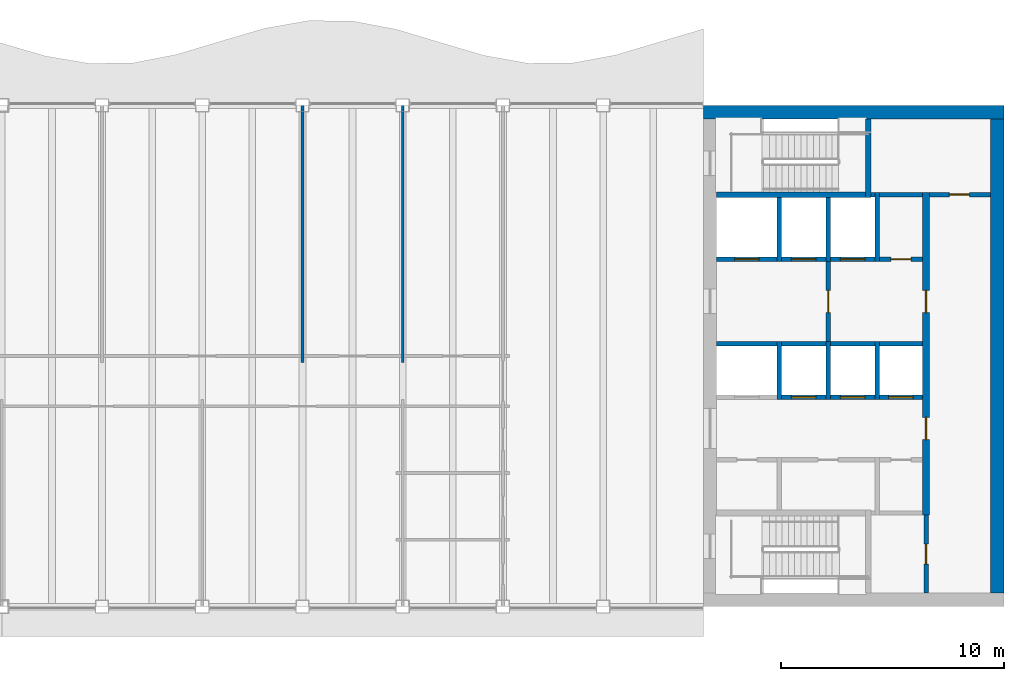
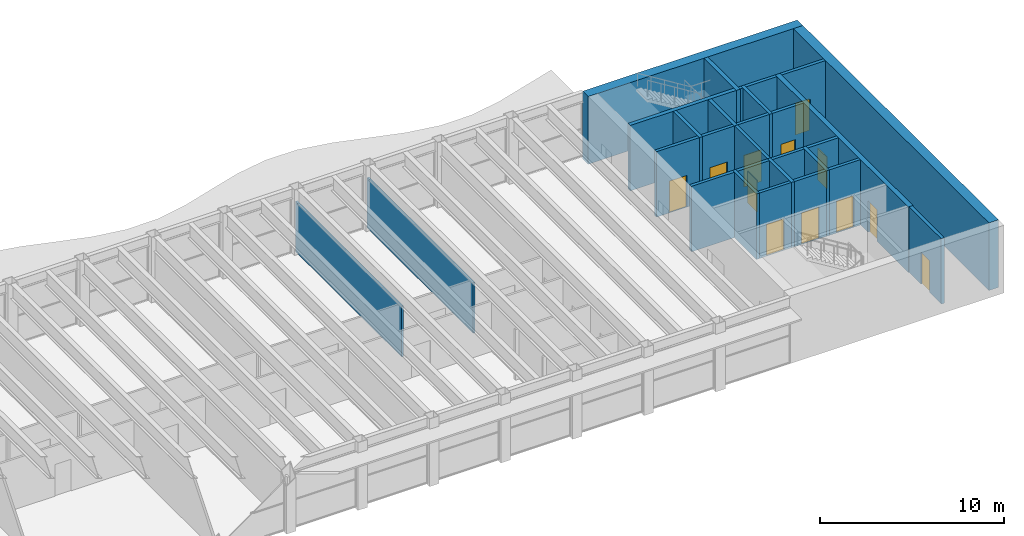
# One storey, part 10 of 14: 29 walls, 12 doors, 12 openings.
"""IFC4 building model written with IfcOpenShell, lengths in metres."""

from ifc_helpers import new_model, si_unit, direction, frame, frame_2d, origin, place, context, subcontext, project, spatial, rectangle, extrude, material, layer, layer_set, type_object, element, fill, save


model = new_model("IFC4")

# Units and contexts
model_context = context("Model", 3, precision=1e-05, world=origin(), true_north=direction((0.0, 1.0)))
body_context = subcontext(model_context, "Body", "Model", "MODEL_VIEW")
ifc_project = project(units=[si_unit("LENGTHUNIT", "METRE"), si_unit("AREAUNIT", "SQUARE_METRE"), si_unit("VOLUMEUNIT", "CUBIC_METRE"), si_unit("PLANEANGLEUNIT", "RADIAN"), si_unit("MASSUNIT", "GRAM", prefix="KILO")], contexts=[model_context])

# Site, building, storey
site_placement = place(None, origin())
site = spatial("IfcSite", under=ifc_project, at=site_placement, CompositionType="ELEMENT")
building_placement = place(site_placement, origin())
building = spatial("IfcBuilding", under=site, at=building_placement, Name="Sennacour Bend Tower", CompositionType="ELEMENT")
storey_placement = place(building_placement, frame((0.0, 0.0, 314.0)))
storey = spatial("IfcBuildingStorey", under=building, at=storey_placement, Name="L72", CompositionType="ELEMENT", Elevation=314.0)

# Walls
ifc_material_1 = material(Name="Concrete C50/60", Category="concrete")
ifc_layer_1 = layer(ifc_material_1, 0.60009765625, Name="Concrete C50/60", Category="concrete")
ifc_layer_set_1 = layer_set([ifc_layer_1], Name="Concrete C50/60")
wall_type_1 = type_object("IfcWallType", Name="Core wall 600 C50/60", PredefinedType="SHEAR", material=ifc_layer_set_1)
wall_1_placement = place(storey_placement, frame((54.0, 22.199951171875, -0.14990234375), z_axis=(0.0, 0.0, 1.0), x_axis=(1.0, 0.0, 0.0)))
element("IfcWall", 1, at=wall_1_placement, inside=storey, type_object=wall_type_1, Name="Core A wall L72 N", PredefinedType="SHEAR", context=body_context, shape_type="SweptSolid", body=[
    extrude(rectangle(XDim=13.5, YDim=0.60009765625, at=frame_2d((6.75, 0.0))), origin(), (0.0, 0.0, 1.0), 4.5),
])
wall_2_placement = place(storey_placement, frame((67.199951171875, 0.60009765625, -0.14990234375), z_axis=(0.0, 0.0, 1.0), x_axis=(0.0, 1.0, 0.0)))
element("IfcWall", 2, at=wall_2_placement, inside=storey, type_object=wall_type_1, Name="Core A wall L72 E", PredefinedType="SHEAR", context=body_context, shape_type="SweptSolid", body=[
    extrude(rectangle(XDim=21.2998046875, YDim=0.60009765625, at=frame_2d((10.64990234375, 0.0))), origin(), (0.0, 0.0, 1.0), 4.5),
])
ifc_material_2 = material(Name="Plasterboard partition on steel studs", Category="steel")
ifc_layer_2 = layer(ifc_material_2, 0.1201171875, Name="Plasterboard partition on steel studs", Category="steel")
ifc_layer_set_2 = layer_set([ifc_layer_2], Name="Plasterboard partition on steel studs")
wall_type_2 = type_object("IfcWallType", Name="Partition 120", PredefinedType="PARTITIONING", material=ifc_layer_set_2)
for number, where, z_axis, x_axis, name in (
    (3, (36.0, 10.949951171875, 0.0), (0.0, 0.0, 1.0), (0.0, 1.0, 0.0), "P-L72-W012a"),
    (4, (40.5, 10.949951171875, 0.0), (0.0, 0.0, 1.0), (0.0, 1.0, 0.0), "P-L72-W014a"),
):
    element("IfcWall", number, at=place(storey_placement, frame(where, z_axis=z_axis, x_axis=x_axis)), inside=storey, type_object=wall_type_2, Name=name, PredefinedType="PARTITIONING", context=body_context, shape_type="SweptSolid", body=[
        extrude(rectangle(XDim=11.5400390625, YDim=0.1201171875, at=frame_2d((5.77001953125, 0.0))), origin(), (0.0, 0.0, 1.0), 3.35888671875),
    ])

# Wall, opening, door
ifc_material_3 = material(Name="Fire-rated plasterboard partition on steel studs", Category="steel")
ifc_layer_3 = layer(ifc_material_3, 0.199951171875, Name="Fire-rated plasterboard partition on steel studs", Category="steel")
ifc_layer_set_3 = layer_set([ifc_layer_3], Name="Fire-rated plasterboard partition on steel studs")
wall_type_3 = type_object("IfcWallType", Name="Rated partition 200", PredefinedType="PARTITIONING", material=ifc_layer_set_3)
wall_3_placement = place(storey_placement, frame((64.0, 0.60009765625, 0.0), z_axis=(0.0, 0.0, 1.0), x_axis=(0.0, 1.0, 0.0)))
wall_3 = element("IfcWall", 5, at=wall_3_placement, inside=storey, type_object=wall_type_3, Name="P-L72-W027", PredefinedType="PARTITIONING", context=body_context, shape_type="SweptSolid", body=[
    extrude(rectangle(XDim=3.5, YDim=0.199951171875, at=frame_2d((1.75, 0.0))), origin(), (0.0, 0.0, 1.0), 4.35009765625),
])
opening_1_placement = place(wall_3_placement, frame((1.2998046875, 0.0, 0.0)))
opening_1 = element("IfcOpeningElement", 6, at=opening_1_placement, cuts=wall_3, Name="Opening SV", PredefinedType="OPENING", context=body_context, shape_type="SweptSolid", body=[
    extrude(rectangle(XDim=0.89990234375, YDim=2.10009765625, at=frame_2d((0.449951171875, 1.050048828125))), frame((0.0, 0.10986328125, 0.0), z_axis=(0.0, -1.0, 0.0), x_axis=(1.0, 0.0, 0.0)), (0.0, 0.0, 1.0), 0.219970703125),
])
ifc_material_4 = material(Name="Painted steel", Category="steel")
door_type_1 = type_object("IfcDoorType", Name="DR-SERVICE-900", OperationType="NOTDEFINED", PredefinedType="DOOR", material=ifc_material_4)
door_1_placement = place(opening_1_placement, origin())
door_1 = element("IfcDoor", 7, at=door_1_placement, inside=storey, type_object=door_type_1, Name="Door", OperationType="SINGLE_SWING_LEFT", OverallHeight=2.10009765625, OverallWidth=0.89990234375, PredefinedType="DOOR", context=body_context, shape_type="SweptSolid", body=[
    extrude(rectangle(XDim=0.89990234375, YDim=2.10009765625, at=frame_2d((0.449951171875, 1.050048828125))), frame((0.0, 0.02490234375, 0.0), z_axis=(0.0, -1.0, 0.0), x_axis=(1.0, 0.0, 0.0)), (0.0, 0.0, 1.0), 0.050048828125),
])
fill(opening_1, door_1)

wall_4_placement = place(storey_placement, frame((61.89990234375, 15.60009765625, 0.0), z_axis=(0.0, 0.0, 1.0), x_axis=(1.0, 0.0, 0.0)))
wall_4 = element("IfcWall", 8, at=wall_4_placement, inside=storey, type_object=wall_type_3, Name="P-L72-W043", PredefinedType="PARTITIONING", context=body_context, shape_type="SweptSolid", body=[
    extrude(rectangle(XDim=1.9501953125, YDim=0.199951171875, at=frame_2d((0.97509765625, 0.0))), origin(), (0.0, 0.0, 1.0), 4.35009765625),
])
opening_2_placement = place(wall_4_placement, frame((0.525146484375, 0.0, 0.0)))
opening_2 = element("IfcOpeningElement", 9, at=opening_2_placement, cuts=wall_4, Name="Opening SV", PredefinedType="OPENING", context=body_context, shape_type="SweptSolid", body=[
    extrude(rectangle(XDim=0.89990234375, YDim=2.10009765625, at=frame_2d((0.449951171875, 1.050048828125))), frame((0.0, 0.10986328125, 0.0), z_axis=(0.0, -1.0, 0.0), x_axis=(1.0, 0.0, 0.0)), (0.0, 0.0, 1.0), 0.219970703125),
])
door_2_placement = place(opening_2_placement, origin())
door_2 = element("IfcDoor", 10, at=door_2_placement, inside=storey, type_object=door_type_1, Name="Door", OperationType="SINGLE_SWING_RIGHT", OverallHeight=2.10009765625, OverallWidth=0.89990234375, PredefinedType="DOOR", context=body_context, shape_type="SweptSolid", body=[
    extrude(rectangle(XDim=0.89990234375, YDim=2.10009765625, at=frame_2d((0.449951171875, 1.050048828125))), frame((0.0, 0.02490234375, 0.0), z_axis=(0.0, -1.0, 0.0), x_axis=(1.0, 0.0, 0.0)), (0.0, 0.0, 1.0), 0.050048828125),
])
fill(opening_2, door_2)

# Wall
wall_5_placement = place(storey_placement, frame((61.89990234375, 18.5, 0.0), z_axis=(0.0, 0.0, 1.0), x_axis=(1.0, 0.0, 0.0)))
element("IfcWall", 11, at=wall_5_placement, inside=storey, type_object=wall_type_3, Name="P-L72-W046a", PredefinedType="PARTITIONING", context=body_context, shape_type="SweptSolid", body=[
    extrude(rectangle(XDim=1.9501953125, YDim=0.199951171875, at=frame_2d((0.97509765625, 0.0))), origin(), (0.0, 0.0, 1.0), 4.35009765625),
])

# Wall, opening, door
wall_6_placement = place(storey_placement, frame((64.14990234375, 18.5, 0.0), z_axis=(0.0, 0.0, 1.0), x_axis=(1.0, 0.0, 0.0)))
wall_6 = element("IfcWall", 12, at=wall_6_placement, inside=storey, type_object=wall_type_3, Name="P-L72-W046b", PredefinedType="PARTITIONING", context=body_context, shape_type="SweptSolid", body=[
    extrude(rectangle(XDim=2.75, YDim=0.199951171875, at=frame_2d((1.375, 0.0))), origin(), (0.0, 0.0, 1.0), 4.35009765625),
])
opening_3_placement = place(wall_6_placement, frame((0.900146484375, 0.0, 0.0)))
opening_3 = element("IfcOpeningElement", 13, at=opening_3_placement, cuts=wall_6, Name="Opening SV", PredefinedType="OPENING", context=body_context, shape_type="SweptSolid", body=[
    extrude(rectangle(XDim=0.89990234375, YDim=2.10009765625, at=frame_2d((0.449951171875, 1.050048828125))), frame((0.0, 0.10986328125, 0.0), z_axis=(0.0, -1.0, 0.0), x_axis=(1.0, 0.0, 0.0)), (0.0, 0.0, 1.0), 0.219970703125),
])
door_3_placement = place(opening_3_placement, origin())
door_3 = element("IfcDoor", 14, at=door_3_placement, inside=storey, type_object=door_type_1, Name="Door", OperationType="SINGLE_SWING_LEFT", OverallHeight=2.10009765625, OverallWidth=0.89990234375, PredefinedType="DOOR", context=body_context, shape_type="SweptSolid", body=[
    extrude(rectangle(XDim=0.89990234375, YDim=2.10009765625, at=frame_2d((0.449951171875, 1.050048828125))), frame((0.0, 0.02490234375, 0.0), z_axis=(0.0, -1.0, 0.0), x_axis=(1.0, 0.0, 0.0)), (0.0, 0.0, 1.0), 0.050048828125),
])
fill(opening_3, door_3)

ifc_layer_4 = layer(ifc_material_3, 0.199951171875, Name="Fire-rated plasterboard partition on steel studs", Category="steel")
ifc_layer_set_4 = layer_set([ifc_layer_4], Name="Fire-rated plasterboard partition on steel studs")
wall_type_4 = type_object("IfcWallType", Name="Rated partition 200 EI 90", PredefinedType="PARTITIONING", material=ifc_layer_set_4)
wall_7_placement = place(storey_placement, frame((59.60009765625, 11.89990234375, 0.0), z_axis=(0.0, 0.0, 1.0), x_axis=(0.0, 1.0, 0.0)))
wall_7 = element("IfcWall", 15, at=wall_7_placement, inside=storey, type_object=wall_type_4, Name="P-L72-W020", PredefinedType="PARTITIONING", context=body_context, shape_type="SweptSolid", body=[
    extrude(rectangle(XDim=3.60009765625, YDim=0.199951171875, at=frame_2d((1.800048828125, 0.0))), origin(), (0.0, 0.0, 1.0), 4.35009765625),
])
opening_4_placement = place(wall_7_placement, frame((1.300048828125, 0.0, 0.0)))
opening_4 = element("IfcOpeningElement", 16, at=opening_4_placement, cuts=wall_7, Name="Opening FD2", PredefinedType="OPENING", context=body_context, shape_type="SweptSolid", body=[
    extrude(rectangle(XDim=1.0, YDim=2.10009765625, at=frame_2d((0.5, 1.050048828125))), frame((0.0, 0.10986328125, 0.0), z_axis=(0.0, -1.0, 0.0), x_axis=(1.0, 0.0, 0.0)), (0.0, 0.0, 1.0), 0.219970703125),
])
door_type_2 = type_object("IfcDoorType", Name="DR-FFL-1000", OperationType="NOTDEFINED", PredefinedType="DOOR", material=ifc_material_4)
door_4_placement = place(opening_4_placement, origin())
door_4 = element("IfcDoor", 17, at=door_4_placement, inside=storey, type_object=door_type_2, Name="Door", OperationType="SINGLE_SWING_LEFT", OverallHeight=2.10009765625, OverallWidth=1.0, PredefinedType="DOOR", context=body_context, shape_type="SweptSolid", body=[
    extrude(rectangle(XDim=1.0, YDim=2.10009765625, at=frame_2d((0.5, 1.050048828125))), frame((0.0, 0.02490234375, 0.0), z_axis=(0.0, -1.0, 0.0), x_axis=(1.0, 0.0, 0.0)), (0.0, 0.0, 1.0), 0.050048828125),
])
fill(opening_4, door_4)

# Walls
ifc_layer_5 = layer(ifc_material_1, 0.199951171875, Name="Concrete C50/60", Category="concrete")
ifc_layer_set_5 = layer_set([ifc_layer_5], Name="Concrete C50/60")
wall_type_5 = type_object("IfcWallType", Name="Shaft wall 200", PredefinedType="SOLIDWALL", material=ifc_layer_set_5)
wall_8_placement = place(storey_placement, frame((57.39990234375, 9.300048828125, 0.0), z_axis=(0.0, 0.0, 1.0), x_axis=(0.0, 1.0, 0.0)))
element("IfcWall", 18, at=wall_8_placement, inside=storey, type_object=wall_type_5, Name="P-L72-W017", PredefinedType="SOLIDWALL", context=body_context, shape_type="SweptSolid", body=[
    extrude(rectangle(XDim=2.599853515625, YDim=0.199951171875, at=frame_2d((1.2998046875, 0.0))), origin(), (0.0, 0.0, 1.0), 4.35009765625),
])
wall_9_placement = place(storey_placement, frame((57.39990234375, 15.5, 0.0), z_axis=(0.0, 0.0, 1.0), x_axis=(0.0, 1.0, 0.0)))
element("IfcWall", 19, at=wall_9_placement, inside=storey, type_object=wall_type_5, Name="P-L72-W018", PredefinedType="SOLIDWALL", context=body_context, shape_type="SweptSolid", body=[
    extrude(rectangle(XDim=2.875, YDim=0.199951171875, at=frame_2d((1.4375, 0.0))), origin(), (0.0, 0.0, 1.0), 4.35009765625),
])
wall_10_placement = place(storey_placement, frame((59.60009765625, 9.300048828125, 0.0), z_axis=(0.0, 0.0, 1.0), x_axis=(0.0, 1.0, 0.0)))
element("IfcWall", 20, at=wall_10_placement, inside=storey, type_object=wall_type_5, Name="P-L72-W019", PredefinedType="SOLIDWALL", context=body_context, shape_type="SweptSolid", body=[
    extrude(rectangle(XDim=2.599853515625, YDim=0.199951171875, at=frame_2d((1.2998046875, 0.0))), origin(), (0.0, 0.0, 1.0), 4.35009765625),
])
wall_11_placement = place(storey_placement, frame((59.60009765625, 15.5, 0.0), z_axis=(0.0, 0.0, 1.0), x_axis=(0.0, 1.0, 0.0)))
element("IfcWall", 21, at=wall_11_placement, inside=storey, type_object=wall_type_5, Name="P-L72-W021", PredefinedType="SOLIDWALL", context=body_context, shape_type="SweptSolid", body=[
    extrude(rectangle(XDim=2.875, YDim=0.199951171875, at=frame_2d((1.4375, 0.0))), origin(), (0.0, 0.0, 1.0), 4.35009765625),
])
wall_12_placement = place(storey_placement, frame((61.800048828125, 9.300048828125, 0.0), z_axis=(0.0, 0.0, 1.0), x_axis=(0.0, 1.0, 0.0)))
element("IfcWall", 22, at=wall_12_placement, inside=storey, type_object=wall_type_5, Name="P-L72-W025", PredefinedType="SOLIDWALL", context=body_context, shape_type="SweptSolid", body=[
    extrude(rectangle(XDim=2.599853515625, YDim=0.199951171875, at=frame_2d((1.2998046875, 0.0))), origin(), (0.0, 0.0, 1.0), 4.35009765625),
])
wall_13_placement = place(storey_placement, frame((61.800048828125, 15.5, 0.0), z_axis=(0.0, 0.0, 1.0), x_axis=(0.0, 1.0, 0.0)))
element("IfcWall", 23, at=wall_13_placement, inside=storey, type_object=wall_type_5, Name="P-L72-W026", PredefinedType="SOLIDWALL", context=body_context, shape_type="SweptSolid", body=[
    extrude(rectangle(XDim=3.10009765625, YDim=0.199951171875, at=frame_2d((1.550048828125, 0.0))), origin(), (0.0, 0.0, 1.0), 4.35009765625),
])

# Wall, opening, door
wall_14_placement = place(storey_placement, frame((57.5, 9.39990234375, 0.0), z_axis=(0.0, 0.0, 1.0), x_axis=(1.0, 0.0, 0.0)))
wall_14 = element("IfcWall", 24, at=wall_14_placement, inside=storey, type_object=wall_type_5, Name="P-L72-W039b", PredefinedType="SOLIDWALL", context=body_context, shape_type="SweptSolid", body=[
    extrude(rectangle(XDim=2.0, YDim=0.199951171875, at=frame_2d((1.0, 0.0))), origin(), (0.0, 0.0, 1.0), 4.35009765625),
])
opening_5_placement = place(wall_14_placement, frame((0.449951171875, 0.0, 0.011962890625)))
opening_5 = element("IfcOpeningElement", 25, at=opening_5_placement, cuts=wall_14, Name="Opening LD", PredefinedType="OPENING", context=body_context, shape_type="SweptSolid", body=[
    extrude(rectangle(XDim=1.10009765625, YDim=2.10009765625, at=frame_2d((0.550048828125, 1.050048828125))), frame((0.0, 0.10986328125, 0.0), z_axis=(0.0, -1.0, 0.0), x_axis=(1.0, 0.0, 0.0)), (0.0, 0.0, 1.0), 0.219970703125),
])
ifc_material_5 = material(Name="Stainless steel", Category="steel")
door_type_3 = type_object("IfcDoorType", Name="DR-LANDING-1100", OperationType="NOTDEFINED", PredefinedType="DOOR", material=ifc_material_5)
door_5_placement = place(opening_5_placement, origin())
door_5 = element("IfcDoor", 26, at=door_5_placement, inside=storey, type_object=door_type_3, Name="Lift landing door HA2", OperationType="SLIDING_TO_RIGHT", OverallHeight=2.10009765625, OverallWidth=1.10009765625, PredefinedType="DOOR", context=body_context, shape_type="SweptSolid", body=[
    extrude(rectangle(XDim=1.10009765625, YDim=2.10009765625, at=frame_2d((0.550048828125, 1.050048828125))), frame((0.0, 0.02490234375, 0.0), z_axis=(0.0, -1.0, 0.0), x_axis=(1.0, 0.0, 0.0)), (0.0, 0.0, 1.0), 0.050048828125),
])
fill(opening_5, door_5)

wall_15_placement = place(storey_placement, frame((59.699951171875, 9.39990234375, 0.0), z_axis=(0.0, 0.0, 1.0), x_axis=(1.0, 0.0, 0.0)))
wall_15 = element("IfcWall", 27, at=wall_15_placement, inside=storey, type_object=wall_type_5, Name="P-L72-W039c", PredefinedType="SOLIDWALL", context=body_context, shape_type="SweptSolid", body=[
    extrude(rectangle(XDim=2.0, YDim=0.199951171875, at=frame_2d((1.0, 0.0))), origin(), (0.0, 0.0, 1.0), 4.35009765625),
])
opening_6_placement = place(wall_15_placement, frame((0.449951171875, 0.0, 0.011962890625)))
opening_6 = element("IfcOpeningElement", 28, at=opening_6_placement, cuts=wall_15, Name="Opening LD", PredefinedType="OPENING", context=body_context, shape_type="SweptSolid", body=[
    extrude(rectangle(XDim=1.10009765625, YDim=2.10009765625, at=frame_2d((0.550048828125, 1.050048828125))), frame((0.0, 0.10986328125, 0.0), z_axis=(0.0, -1.0, 0.0), x_axis=(1.0, 0.0, 0.0)), (0.0, 0.0, 1.0), 0.219970703125),
])
door_6_placement = place(opening_6_placement, origin())
door_6 = element("IfcDoor", 29, at=door_6_placement, inside=storey, type_object=door_type_3, Name="Lift landing door HA3", OperationType="SLIDING_TO_LEFT", OverallHeight=2.10009765625, OverallWidth=1.10009765625, PredefinedType="DOOR", context=body_context, shape_type="SweptSolid", body=[
    extrude(rectangle(XDim=1.10009765625, YDim=2.10009765625, at=frame_2d((0.550048828125, 1.050048828125))), frame((0.0, 0.02490234375, 0.0), z_axis=(0.0, -1.0, 0.0), x_axis=(1.0, 0.0, 0.0)), (0.0, 0.0, 1.0), 0.050048828125),
])
fill(opening_6, door_6)

wall_16_placement = place(storey_placement, frame((61.89990234375, 9.39990234375, 0.0), z_axis=(0.0, 0.0, 1.0), x_axis=(1.0, 0.0, 0.0)))
wall_16 = element("IfcWall", 30, at=wall_16_placement, inside=storey, type_object=wall_type_5, Name="P-L72-W039d", PredefinedType="SOLIDWALL", context=body_context, shape_type="SweptSolid", body=[
    extrude(rectangle(XDim=1.9501953125, YDim=0.199951171875, at=frame_2d((0.97509765625, 0.0))), origin(), (0.0, 0.0, 1.0), 4.35009765625),
])
opening_7_placement = place(wall_16_placement, frame((0.425048828125, 0.0, 0.011962890625)))
opening_7 = element("IfcOpeningElement", 31, at=opening_7_placement, cuts=wall_16, Name="Opening LD", PredefinedType="OPENING", context=body_context, shape_type="SweptSolid", body=[
    extrude(rectangle(XDim=1.10009765625, YDim=2.10009765625, at=frame_2d((0.550048828125, 1.050048828125))), frame((0.0, 0.10986328125, 0.0), z_axis=(0.0, -1.0, 0.0), x_axis=(1.0, 0.0, 0.0)), (0.0, 0.0, 1.0), 0.219970703125),
])
door_7_placement = place(opening_7_placement, origin())
door_7 = element("IfcDoor", 32, at=door_7_placement, inside=storey, type_object=door_type_3, Name="Lift landing door HA4", OperationType="SLIDING_TO_RIGHT", OverallHeight=2.10009765625, OverallWidth=1.10009765625, PredefinedType="DOOR", context=body_context, shape_type="SweptSolid", body=[
    extrude(rectangle(XDim=1.10009765625, YDim=2.10009765625, at=frame_2d((0.550048828125, 1.050048828125))), frame((0.0, 0.02490234375, 0.0), z_axis=(0.0, -1.0, 0.0), x_axis=(1.0, 0.0, 0.0)), (0.0, 0.0, 1.0), 0.050048828125),
])
fill(opening_7, door_7)

# Walls
wall_17_placement = place(storey_placement, frame((54.60009765625, 11.800048828125, 0.0), z_axis=(0.0, 0.0, 1.0), x_axis=(1.0, 0.0, 0.0)))
element("IfcWall", 33, at=wall_17_placement, inside=storey, type_object=wall_type_5, Name="P-L72-W041a", PredefinedType="SOLIDWALL", context=body_context, shape_type="SweptSolid", body=[
    extrude(rectangle(XDim=2.699951171875, YDim=0.199951171875, at=frame_2d((1.35009765625, 0.0))), origin(), (0.0, 0.0, 1.0), 4.35009765625),
])
for number, where, z_axis, x_axis, name in (
    (34, (57.5, 11.800048828125, 0.0), (0.0, 0.0, 1.0), (1.0, 0.0, 0.0), "P-L72-W041b"),
    (35, (59.699951171875, 11.800048828125, 0.0), (0.0, 0.0, 1.0), (1.0, 0.0, 0.0), "P-L72-W041c"),
):
    element("IfcWall", number, at=place(storey_placement, frame(where, z_axis=z_axis, x_axis=x_axis)), inside=storey, type_object=wall_type_5, Name=name, PredefinedType="SOLIDWALL", context=body_context, shape_type="SweptSolid", body=[
        extrude(rectangle(XDim=2.0, YDim=0.199951171875, at=frame_2d((1.0, 0.0))), origin(), (0.0, 0.0, 1.0), 4.35009765625),
    ])
wall_18_placement = place(storey_placement, frame((61.89990234375, 11.800048828125, 0.0), z_axis=(0.0, 0.0, 1.0), x_axis=(1.0, 0.0, 0.0)))
element("IfcWall", 36, at=wall_18_placement, inside=storey, type_object=wall_type_5, Name="P-L72-W041d", PredefinedType="SOLIDWALL", context=body_context, shape_type="SweptSolid", body=[
    extrude(rectangle(XDim=1.9501953125, YDim=0.199951171875, at=frame_2d((0.97509765625, 0.0))), origin(), (0.0, 0.0, 1.0), 4.35009765625),
])

# Wall, opening, door
wall_19_placement = place(storey_placement, frame((54.60009765625, 15.60009765625, 0.0), z_axis=(0.0, 0.0, 1.0), x_axis=(1.0, 0.0, 0.0)))
wall_19 = element("IfcWall", 37, at=wall_19_placement, inside=storey, type_object=wall_type_5, Name="P-L72-W042a", PredefinedType="SOLIDWALL", context=body_context, shape_type="SweptSolid", body=[
    extrude(rectangle(XDim=2.699951171875, YDim=0.199951171875, at=frame_2d((1.35009765625, 0.0))), origin(), (0.0, 0.0, 1.0), 4.35009765625),
])
opening_8_placement = place(wall_19_placement, frame((0.7998046875, 0.0, 0.011962890625)))
opening_8 = element("IfcOpeningElement", 38, at=opening_8_placement, cuts=wall_19, Name="Opening FLD", PredefinedType="OPENING", context=body_context, shape_type="SweptSolid", body=[
    extrude(rectangle(XDim=1.10009765625, YDim=2.10009765625, at=frame_2d((0.550048828125, 1.050048828125))), frame((0.0, 0.10986328125, 0.0), z_axis=(0.0, -1.0, 0.0), x_axis=(1.0, 0.0, 0.0)), (0.0, 0.0, 1.0), 0.219970703125),
])
door_type_4 = type_object("IfcDoorType", Name="DR-FF-LANDING-1100", OperationType="NOTDEFINED", PredefinedType="DOOR", material=ifc_material_5)
door_8_placement = place(opening_8_placement, origin())
door_8 = element("IfcDoor", 39, at=door_8_placement, inside=storey, type_object=door_type_4, Name="Fire service lift landing door FA1", OperationType="SLIDING_TO_LEFT", OverallHeight=2.10009765625, OverallWidth=1.10009765625, PredefinedType="DOOR", context=body_context, shape_type="SweptSolid", body=[
    extrude(rectangle(XDim=1.10009765625, YDim=2.10009765625, at=frame_2d((0.550048828125, 1.050048828125))), frame((0.0, 0.02490234375, 0.0), z_axis=(0.0, -1.0, 0.0), x_axis=(1.0, 0.0, 0.0)), (0.0, 0.0, 1.0), 0.050048828125),
])
fill(opening_8, door_8)

wall_20_placement = place(storey_placement, frame((57.5, 15.60009765625, 0.0), z_axis=(0.0, 0.0, 1.0), x_axis=(1.0, 0.0, 0.0)))
wall_20 = element("IfcWall", 40, at=wall_20_placement, inside=storey, type_object=wall_type_5, Name="P-L72-W042b", PredefinedType="SOLIDWALL", context=body_context, shape_type="SweptSolid", body=[
    extrude(rectangle(XDim=2.0, YDim=0.199951171875, at=frame_2d((1.0, 0.0))), origin(), (0.0, 0.0, 1.0), 4.35009765625),
])
opening_9_placement = place(wall_20_placement, frame((0.449951171875, 0.0, 0.011962890625)))
opening_9 = element("IfcOpeningElement", 41, at=opening_9_placement, cuts=wall_20, Name="Opening FLD", PredefinedType="OPENING", context=body_context, shape_type="SweptSolid", body=[
    extrude(rectangle(XDim=1.10009765625, YDim=2.10009765625, at=frame_2d((0.550048828125, 1.050048828125))), frame((0.0, 0.10986328125, 0.0), z_axis=(0.0, -1.0, 0.0), x_axis=(1.0, 0.0, 0.0)), (0.0, 0.0, 1.0), 0.219970703125),
])
door_9_placement = place(opening_9_placement, origin())
door_9 = element("IfcDoor", 42, at=door_9_placement, inside=storey, type_object=door_type_4, Name="Fire service lift landing door FA2", OperationType="SLIDING_TO_RIGHT", OverallHeight=2.10009765625, OverallWidth=1.10009765625, PredefinedType="DOOR", context=body_context, shape_type="SweptSolid", body=[
    extrude(rectangle(XDim=1.10009765625, YDim=2.10009765625, at=frame_2d((0.550048828125, 1.050048828125))), frame((0.0, 0.02490234375, 0.0), z_axis=(0.0, -1.0, 0.0), x_axis=(1.0, 0.0, 0.0)), (0.0, 0.0, 1.0), 0.050048828125),
])
fill(opening_9, door_9)

wall_21_placement = place(storey_placement, frame((59.699951171875, 15.60009765625, 0.0), z_axis=(0.0, 0.0, 1.0), x_axis=(1.0, 0.0, 0.0)))
wall_21 = element("IfcWall", 43, at=wall_21_placement, inside=storey, type_object=wall_type_5, Name="P-L72-W042c", PredefinedType="SOLIDWALL", context=body_context, shape_type="SweptSolid", body=[
    extrude(rectangle(XDim=2.0, YDim=0.199951171875, at=frame_2d((1.0, 0.0))), origin(), (0.0, 0.0, 1.0), 4.35009765625),
])
opening_10_placement = place(wall_21_placement, frame((0.449951171875, 0.0, 0.011962890625)))
opening_10 = element("IfcOpeningElement", 44, at=opening_10_placement, cuts=wall_21, Name="Opening LD", PredefinedType="OPENING", context=body_context, shape_type="SweptSolid", body=[
    extrude(rectangle(XDim=1.10009765625, YDim=2.10009765625, at=frame_2d((0.550048828125, 1.050048828125))), frame((0.0, 0.10986328125, 0.0), z_axis=(0.0, -1.0, 0.0), x_axis=(1.0, 0.0, 0.0)), (0.0, 0.0, 1.0), 0.219970703125),
])
door_10_placement = place(opening_10_placement, origin())
door_10 = element("IfcDoor", 45, at=door_10_placement, inside=storey, type_object=door_type_3, Name="Lift landing door HA5", OperationType="SLIDING_TO_LEFT", OverallHeight=2.10009765625, OverallWidth=1.10009765625, PredefinedType="DOOR", context=body_context, shape_type="SweptSolid", body=[
    extrude(rectangle(XDim=1.10009765625, YDim=2.10009765625, at=frame_2d((0.550048828125, 1.050048828125))), frame((0.0, 0.02490234375, 0.0), z_axis=(0.0, -1.0, 0.0), x_axis=(1.0, 0.0, 0.0)), (0.0, 0.0, 1.0), 0.050048828125),
])
fill(opening_10, door_10)

# Wall
wall_22_placement = place(storey_placement, frame((61.52490234375, 18.5, 0.0), z_axis=(0.0, 0.0, 1.0), x_axis=(1.0, 0.0, 0.0)))
element("IfcWall", 46, at=wall_22_placement, inside=storey, type_object=wall_type_5, Name="P-L72-W045", PredefinedType="SOLIDWALL", context=body_context, shape_type="SweptSolid", body=[
    extrude(rectangle(XDim=0.175048828125, YDim=0.199951171875, at=frame_2d((0.08740234375, 0.0))), origin(), (0.0, 0.0, 1.0), 4.35009765625),
])

# Wall, openings, doors
ifc_material_6 = material(Name="Concrete C60/75", Category="concrete")
ifc_layer_6 = layer(ifc_material_6, 0.300048828125, Name="Concrete C60/75", Category="concrete")
ifc_layer_set_6 = layer_set([ifc_layer_6], Name="Concrete C60/75")
wall_type_6 = type_object("IfcWallType", Name="Spine wall 300", PredefinedType="SHEAR", material=ifc_layer_set_6)
wall_23_placement = place(storey_placement, frame((64.0, 4.10009765625, 0.0), z_axis=(0.0, 0.0, 1.0), x_axis=(0.0, 1.0, 0.0)))
wall_23 = element("IfcWall", 47, at=wall_23_placement, inside=storey, type_object=wall_type_6, Name="P-L72-W028", PredefinedType="SHEAR", context=body_context, shape_type="SweptSolid", body=[
    extrude(rectangle(XDim=14.5, YDim=0.300048828125, at=frame_2d((7.25, 0.0))), origin(), (0.0, 0.0, 1.0), 4.35009765625),
])
opening_11_placement = place(wall_23_placement, frame((3.39990234375, 0.0, 0.0)))
opening_11 = element("IfcOpeningElement", 48, at=opening_11_placement, cuts=wall_23, Name="Opening CD2", PredefinedType="OPENING", context=body_context, shape_type="SweptSolid", body=[
    extrude(rectangle(XDim=1.0, YDim=2.10009765625, at=frame_2d((0.5, 1.050048828125))), frame((0.0, 0.16015625, 0.0), z_axis=(0.0, -1.0, 0.0), x_axis=(1.0, 0.0, 0.0)), (0.0, 0.0, 1.0), 0.320068359375),
])
opening_12_placement = place(wall_23_placement, frame((9.099853515625, 0.0, 0.0)))
opening_12 = element("IfcOpeningElement", 49, at=opening_12_placement, cuts=wall_23, Name="Opening CD2", PredefinedType="OPENING", context=body_context, shape_type="SweptSolid", body=[
    extrude(rectangle(XDim=1.0, YDim=2.10009765625, at=frame_2d((0.5, 1.050048828125))), frame((0.0, 0.16015625, 0.0), z_axis=(0.0, -1.0, 0.0), x_axis=(1.0, 0.0, 0.0)), (0.0, 0.0, 1.0), 0.320068359375),
])
door_type_5 = type_object("IfcDoorType", Name="DR-LOBBY-1000", OperationType="NOTDEFINED", PredefinedType="DOOR", material=ifc_material_4)
door_11_placement = place(opening_11_placement, origin())
door_11 = element("IfcDoor", 50, at=door_11_placement, inside=storey, type_object=door_type_5, Name="Door", OperationType="SINGLE_SWING_LEFT", OverallHeight=2.10009765625, OverallWidth=1.0, PredefinedType="DOOR", context=body_context, shape_type="SweptSolid", body=[
    extrude(rectangle(XDim=1.0, YDim=2.10009765625, at=frame_2d((0.5, 1.050048828125))), frame((0.0, 0.02490234375, 0.0), z_axis=(0.0, -1.0, 0.0), x_axis=(1.0, 0.0, 0.0)), (0.0, 0.0, 1.0), 0.050048828125),
])
fill(opening_11, door_11)
door_12_placement = place(opening_12_placement, origin())
door_12 = element("IfcDoor", 51, at=door_12_placement, inside=storey, type_object=door_type_5, Name="Door", OperationType="SINGLE_SWING_RIGHT", OverallHeight=2.10009765625, OverallWidth=1.0, PredefinedType="DOOR", context=body_context, shape_type="SweptSolid", body=[
    extrude(rectangle(XDim=1.0, YDim=2.10009765625, at=frame_2d((0.5, 1.050048828125))), frame((0.0, 0.02490234375, 0.0), z_axis=(0.0, -1.0, 0.0), x_axis=(1.0, 0.0, 0.0)), (0.0, 0.0, 1.0), 0.050048828125),
])
fill(opening_12, door_12)

# Walls
ifc_layer_7 = layer(ifc_material_6, 0.25, Name="Concrete C60/75", Category="concrete")
ifc_layer_set_7 = layer_set([ifc_layer_7], Name="Concrete C60/75")
wall_type_7 = type_object("IfcWallType", Name="Stair wall 250", PredefinedType="SHEAR", material=ifc_layer_set_7)
wall_24_placement = place(storey_placement, frame((61.39990234375, 18.375, 0.0), z_axis=(0.0, 0.0, 1.0), x_axis=(0.0, 1.0, 0.0)))
element("IfcWall", 52, at=wall_24_placement, inside=storey, type_object=wall_type_7, Name="P-L72-W023", PredefinedType="SHEAR", context=body_context, shape_type="SweptSolid", body=[
    extrude(rectangle(XDim=3.52490234375, YDim=0.25, at=frame_2d((1.762451171875, 0.0))), origin(), (0.0, 0.0, 1.0), 4.35009765625),
])
wall_25_placement = place(storey_placement, frame((54.60009765625, 18.5, 0.0), z_axis=(0.0, 0.0, 1.0), x_axis=(1.0, 0.0, 0.0)))
element("IfcWall", 53, at=wall_25_placement, inside=storey, type_object=wall_type_7, Name="P-L72-W044", PredefinedType="SHEAR", context=body_context, shape_type="SweptSolid", body=[
    extrude(rectangle(XDim=6.6748046875, YDim=0.25, at=frame_2d((3.33740234375, 0.0))), origin(), (0.0, 0.0, 1.0), 4.35009765625),
])

save(model, "model.ifc")
